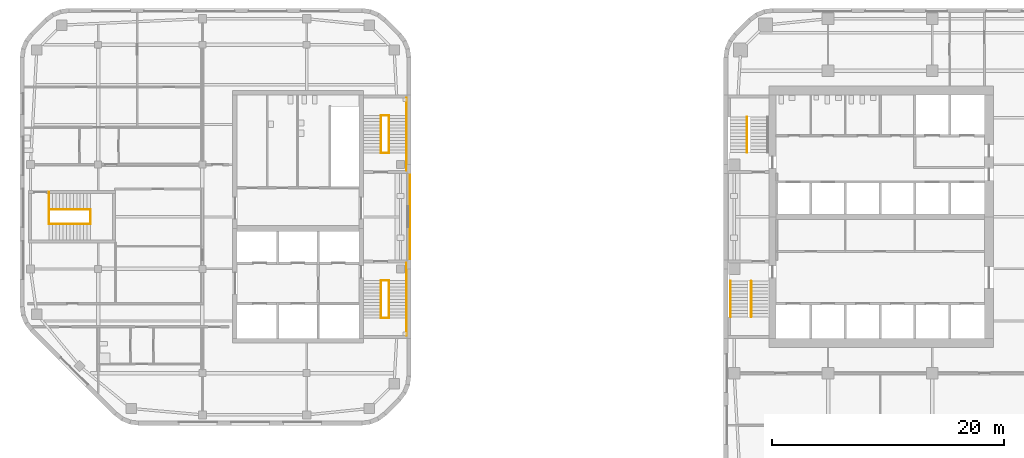
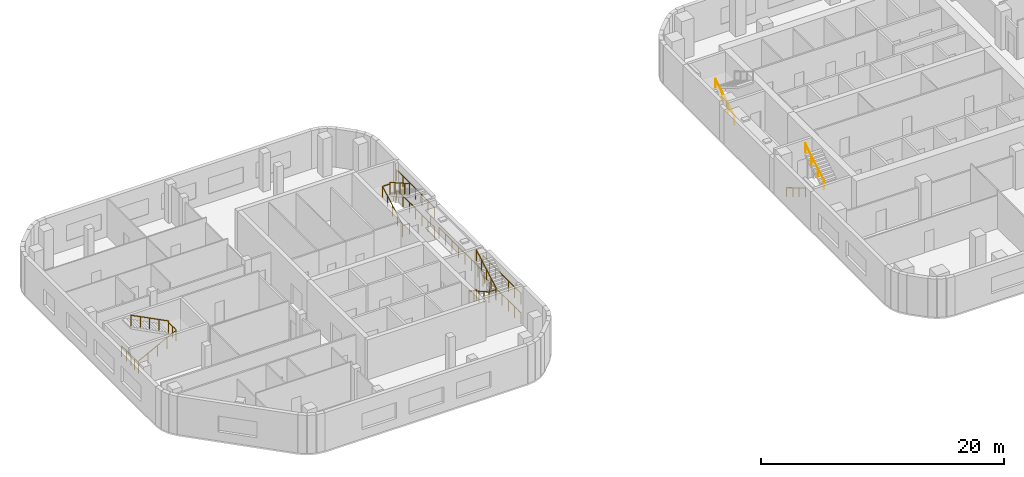
# One storey, part 12 of 14: 21 railings, 2 elements without a shape of their own.
"""IFC4 building model written with IfcOpenShell, lengths in metres."""

from ifc_helpers import new_model, si_unit, direction, frame, origin, origin_2d, place, context, subcontext, project, spatial, circle, extrude, material, type_object, element, aggregate, save


model = new_model("IFC4")

# Units and contexts
model_context = context("Model", 3, precision=1e-05, world=origin(), true_north=direction((0.0, 1.0)))
body_context = subcontext(model_context, "Body", "Model", "MODEL_VIEW")
ifc_project = project(units=[si_unit("LENGTHUNIT", "METRE"), si_unit("AREAUNIT", "SQUARE_METRE"), si_unit("VOLUMEUNIT", "CUBIC_METRE"), si_unit("PLANEANGLEUNIT", "RADIAN"), si_unit("MASSUNIT", "GRAM", prefix="KILO")], contexts=[model_context])

# Site, building, storey
site_placement = place(None, origin())
site = spatial("IfcSite", under=ifc_project, at=site_placement, CompositionType="ELEMENT")
building_placement = place(site_placement, origin())
building = spatial("IfcBuilding", under=site, at=building_placement, Name="Cinnabar Reach Civic Tower", CompositionType="ELEMENT")
storey_placement = place(building_placement, frame((0.0, 0.0, 136.0)))
storey = spatial("IfcBuildingStorey", under=building, at=storey_placement, Name="L32", CompositionType="ELEMENT", Elevation=136.0)

# Stair, railings
ifc_material_1 = material(Name="Concrete C40/50", Category="concrete")
stair_type = type_object("IfcStairType", Name="T1 Exit stair, half-turn", PredefinedType="HALF_TURN_STAIR", material=ifc_material_1)
stair_1_placement = place(storey_placement, origin())
stair_1 = element("IfcStair", 1, at=stair_1_placement, inside=storey, type_object=stair_type, Name="Stair T1-S1", PredefinedType="HALF_TURN_STAIR")
ifc_material_2 = material(Name="Stainless steel tube", Category="steel")
railing_type_1 = type_object("IfcRailingType", Name="T1 Stair handrail, stainless tube 48", PredefinedType="HANDRAIL", material=ifc_material_2)
railing_1_placement = place(storey_placement, frame((0.6, 25.95, 0.1667)))
railing_1 = element("IfcRailing", 2, at=railing_1_placement, type_object=railing_type_1, Name="T1-S1 handrail 1", PredefinedType="HANDRAIL", context=body_context, shape_type="SweptSolid", body=[
    extrude(circle(Radius=0.024, at=origin_2d()), frame((0.0, 0.0, 0.876), z_axis=(0.0, -0.859296971757, 0.511476992962), x_axis=(1.0, 0.0, 0.0)), (0.0, 0.0, 1.0), 3.5843),
    extrude(circle(Radius=0.021, at=origin_2d()), origin(), (0.0, 0.0, 1.0), 0.852),
    extrude(circle(Radius=0.021, at=origin_2d()), frame((0.0, -1.0267, 0.6111)), (0.0, 0.0, 1.0), 0.852),
    extrude(circle(Radius=0.021, at=origin_2d()), frame((0.0, -2.0533, 1.2222)), (0.0, 0.0, 1.0), 0.852),
    extrude(circle(Radius=0.021, at=origin_2d()), frame((0.0, -3.08, 1.8333)), (0.0, 0.0, 1.0), 0.852),
])
railing_2_placement = place(storey_placement, frame((2.375, 22.87, 2.1667)))
railing_2 = element("IfcRailing", 3, at=railing_2_placement, type_object=railing_type_1, Name="T1-S1 handrail 2", PredefinedType="HANDRAIL", context=body_context, shape_type="SweptSolid", body=[
    extrude(circle(Radius=0.024, at=origin_2d()), frame((0.0, 0.0, 0.876), z_axis=(0.0, 0.859296971757, 0.511476992962), x_axis=(-1.0, 0.0, 0.0)), (0.0, 0.0, 1.0), 3.5843),
    extrude(circle(Radius=0.021, at=origin_2d()), origin(), (0.0, 0.0, 1.0), 0.852),
    extrude(circle(Radius=0.021, at=origin_2d()), frame((0.0, 1.0267, 0.6111)), (0.0, 0.0, 1.0), 0.852),
    extrude(circle(Radius=0.021, at=origin_2d()), frame((0.0, 2.0533, 1.2222)), (0.0, 0.0, 1.0), 0.852),
    extrude(circle(Radius=0.021, at=origin_2d()), frame((0.0, 3.08, 1.8333)), (0.0, 0.0, 1.0), 0.852),
])
aggregate(stair_1, [railing_1, railing_2])

# Stair, railing
stair_2_placement = place(storey_placement, origin())
stair_2 = element("IfcStair", 4, at=stair_2_placement, inside=storey, type_object=stair_type, Name="Stair T1-S2", PredefinedType="HALF_TURN_STAIR")
railing_3_placement = place(storey_placement, frame((2.025, 37.05, 0.1667)))
railing_3 = element("IfcRailing", 5, at=railing_3_placement, type_object=railing_type_1, Name="T1-S2 handrail 1", PredefinedType="HANDRAIL", context=body_context, shape_type="SweptSolid", body=[
    extrude(circle(Radius=0.024, at=origin_2d()), frame((0.0, 0.0, 0.876), z_axis=(0.0, 0.859296971757, 0.511476992962), x_axis=(-1.0, 0.0, 0.0)), (0.0, 0.0, 1.0), 3.5843),
    extrude(circle(Radius=0.021, at=origin_2d()), origin(), (0.0, 0.0, 1.0), 0.852),
    extrude(circle(Radius=0.021, at=origin_2d()), frame((0.0, 1.0267, 0.6111)), (0.0, 0.0, 1.0), 0.852),
    extrude(circle(Radius=0.021, at=origin_2d()), frame((0.0, 2.0533, 1.2222)), (0.0, 0.0, 1.0), 0.852),
    extrude(circle(Radius=0.021, at=origin_2d()), frame((0.0, 3.08, 1.8333)), (0.0, 0.0, 1.0), 0.852),
])
aggregate(stair_2, [railing_3])

# Railings
ifc_material_3 = material(Name="Stainless steel", Category="steel")
railing_type_2 = type_object("IfcRailingType", Name="T2 Stair guard 1100", PredefinedType="GUARDRAIL", material=ifc_material_3)
railing_4_placement = place(storey_placement, frame((-27.1, 27.75, 0.0)))
element("IfcRailing", 6, at=railing_4_placement, inside=storey, type_object=railing_type_2, Name="Corridor end guard", PredefinedType="GUARDRAIL", context=body_context, shape_type="SweptSolid", body=[
    extrude(circle(Radius=0.024, at=origin_2d()), frame((0.0, 0.0, 1.076), z_axis=(0.0, 1.0, 0.0), x_axis=(-1.0, 0.0, 0.0)), (0.0, 0.0, 1.0), 7.5),
    extrude(circle(Radius=0.021, at=origin_2d()), origin(), (0.0, 0.0, 1.0), 1.052),
    extrude(circle(Radius=0.021, at=origin_2d()), frame((0.0, 1.0714, 0.0)), (0.0, 0.0, 1.0), 1.052),
    extrude(circle(Radius=0.021, at=origin_2d()), frame((0.0, 2.1429, 0.0)), (0.0, 0.0, 1.0), 1.052),
    extrude(circle(Radius=0.021, at=origin_2d()), frame((0.0, 3.2143, 0.0)), (0.0, 0.0, 1.0), 1.052),
    extrude(circle(Radius=0.021, at=origin_2d()), frame((0.0, 4.2857, 0.0)), (0.0, 0.0, 1.0), 1.052),
    extrude(circle(Radius=0.021, at=origin_2d()), frame((0.0, 5.3571, 0.0)), (0.0, 0.0, 1.0), 1.052),
    extrude(circle(Radius=0.021, at=origin_2d()), frame((0.0, 6.4286, 0.0)), (0.0, 0.0, 1.0), 1.052),
    extrude(circle(Radius=0.021, at=origin_2d()), frame((0.0, 7.5, 0.0)), (0.0, 0.0, 1.0), 1.052),
])
for number, where, name in (
    (7, (-27.4, 21.25, 0.0), "Stair guard 1"),
    (8, (-27.4, 21.25, 2.0), "Stair guard 1"),
):
    element("IfcRailing", number, at=place(storey_placement, frame(where)), inside=storey, type_object=railing_type_2, Name=name, PredefinedType="GUARDRAIL", context=body_context, shape_type="SweptSolid", body=[
        extrude(circle(Radius=0.024, at=origin_2d()), frame((0.0, 0.0, 1.076), z_axis=(0.0, 1.0, 0.0), x_axis=(-1.0, 0.0, 0.0)), (0.0, 0.0, 1.0), 6.25),
        extrude(circle(Radius=0.021, at=origin_2d()), origin(), (0.0, 0.0, 1.0), 1.052),
        extrude(circle(Radius=0.021, at=origin_2d()), frame((0.0, 1.0417, 0.0)), (0.0, 0.0, 1.0), 1.052),
        extrude(circle(Radius=0.021, at=origin_2d()), frame((0.0, 2.0833, 0.0)), (0.0, 0.0, 1.0), 1.052),
        extrude(circle(Radius=0.021, at=origin_2d()), frame((0.0, 3.125, 0.0)), (0.0, 0.0, 1.0), 1.052),
        extrude(circle(Radius=0.021, at=origin_2d()), frame((0.0, 4.1667, 0.0)), (0.0, 0.0, 1.0), 1.052),
        extrude(circle(Radius=0.021, at=origin_2d()), frame((0.0, 5.2083, 0.0)), (0.0, 0.0, 1.0), 1.052),
        extrude(circle(Radius=0.021, at=origin_2d()), frame((0.0, 6.25, 0.0)), (0.0, 0.0, 1.0), 1.052),
    ])
for number, where, name in (
    (9, (-29.6, 26.0, 0.0), "Stair guard 1"),
    (10, (-29.6, 22.75, 2.0), "Stair guard 1"),
):
    element("IfcRailing", number, at=place(storey_placement, frame(where)), inside=storey, type_object=railing_type_2, Name=name, PredefinedType="GUARDRAIL", context=body_context, shape_type="SweptSolid", body=[
        extrude(circle(Radius=0.024, at=origin_2d()), frame((0.0, 0.0, 1.076), z_axis=(1.0, 0.0, 0.0), x_axis=(0.0, 1.0, 0.0)), (0.0, 0.0, 1.0), 0.7),
        extrude(circle(Radius=0.021, at=origin_2d()), origin(), (0.0, 0.0, 1.0), 1.052),
        extrude(circle(Radius=0.021, at=origin_2d()), frame((0.7, 0.0, 0.0)), (0.0, 0.0, 1.0), 1.052),
    ])
railing_5_placement = place(storey_placement, frame((-29.6, 26.0, 0.1538)))
element("IfcRailing", 11, at=railing_5_placement, inside=storey, type_object=railing_type_2, Name="Stair guard 1", PredefinedType="GUARDRAIL", context=body_context, shape_type="SweptSolid", body=[
    extrude(circle(Radius=0.024, at=origin_2d()), frame((0.0, 0.0, 1.076), z_axis=(0.0, -0.869501474428, 0.493930345258), x_axis=(1.0, 0.0, 0.0)), (0.0, 0.0, 1.0), 3.7378),
    extrude(circle(Radius=0.021, at=origin_2d()), origin(), (0.0, 0.0, 1.0), 1.052),
    extrude(circle(Radius=0.021, at=origin_2d()), frame((0.0, -0.8125, 0.4616)), (0.0, 0.0, 1.0), 1.052),
    extrude(circle(Radius=0.021, at=origin_2d()), frame((0.0, -1.625, 0.9231)), (0.0, 0.0, 1.0), 1.052),
    extrude(circle(Radius=0.021, at=origin_2d()), frame((0.0, -2.4375, 1.3847)), (0.0, 0.0, 1.0), 1.052),
    extrude(circle(Radius=0.021, at=origin_2d()), frame((0.0, -3.25, 1.8462)), (0.0, 0.0, 1.0), 1.052),
])
railing_6_placement = place(storey_placement, frame((-28.9, 22.75, 2.1538)))
element("IfcRailing", 12, at=railing_6_placement, inside=storey, type_object=railing_type_2, Name="Stair guard 1", PredefinedType="GUARDRAIL", context=body_context, shape_type="SweptSolid", body=[
    extrude(circle(Radius=0.024, at=origin_2d()), frame((0.0, 0.0, 1.076), z_axis=(0.0, 0.869501474428, 0.493930345258), x_axis=(-1.0, 0.0, 0.0)), (0.0, 0.0, 1.0), 3.7378),
    extrude(circle(Radius=0.021, at=origin_2d()), origin(), (0.0, 0.0, 1.0), 1.052),
    extrude(circle(Radius=0.021, at=origin_2d()), frame((0.0, 0.8125, 0.4616)), (0.0, 0.0, 1.0), 1.052),
    extrude(circle(Radius=0.021, at=origin_2d()), frame((0.0, 1.625, 0.9231)), (0.0, 0.0, 1.0), 1.052),
    extrude(circle(Radius=0.021, at=origin_2d()), frame((0.0, 2.4375, 1.3847)), (0.0, 0.0, 1.0), 1.052),
    extrude(circle(Radius=0.021, at=origin_2d()), frame((0.0, 3.25, 1.8462)), (0.0, 0.0, 1.0), 1.052),
])
for number, where, name in (
    (13, (-27.4, 35.5, 0.0), "Stair guard 2"),
    (14, (-27.4, 35.5, 2.0), "Stair guard 2"),
):
    element("IfcRailing", number, at=place(storey_placement, frame(where)), inside=storey, type_object=railing_type_2, Name=name, PredefinedType="GUARDRAIL", context=body_context, shape_type="SweptSolid", body=[
        extrude(circle(Radius=0.024, at=origin_2d()), frame((0.0, 0.0, 1.076), z_axis=(0.0, 1.0, 0.0), x_axis=(-1.0, 0.0, 0.0)), (0.0, 0.0, 1.0), 6.25),
        extrude(circle(Radius=0.021, at=origin_2d()), origin(), (0.0, 0.0, 1.0), 1.052),
        extrude(circle(Radius=0.021, at=origin_2d()), frame((0.0, 1.0417, 0.0)), (0.0, 0.0, 1.0), 1.052),
        extrude(circle(Radius=0.021, at=origin_2d()), frame((0.0, 2.0833, 0.0)), (0.0, 0.0, 1.0), 1.052),
        extrude(circle(Radius=0.021, at=origin_2d()), frame((0.0, 3.125, 0.0)), (0.0, 0.0, 1.0), 1.052),
        extrude(circle(Radius=0.021, at=origin_2d()), frame((0.0, 4.1667, 0.0)), (0.0, 0.0, 1.0), 1.052),
        extrude(circle(Radius=0.021, at=origin_2d()), frame((0.0, 5.2083, 0.0)), (0.0, 0.0, 1.0), 1.052),
        extrude(circle(Radius=0.021, at=origin_2d()), frame((0.0, 6.25, 0.0)), (0.0, 0.0, 1.0), 1.052),
    ])
for number, where, name in (
    (15, (-29.6, 37.0, 0.0), "Stair guard 2"),
    (16, (-29.6, 40.25, 2.0), "Stair guard 2"),
):
    element("IfcRailing", number, at=place(storey_placement, frame(where)), inside=storey, type_object=railing_type_2, Name=name, PredefinedType="GUARDRAIL", context=body_context, shape_type="SweptSolid", body=[
        extrude(circle(Radius=0.024, at=origin_2d()), frame((0.0, 0.0, 1.076), z_axis=(1.0, 0.0, 0.0), x_axis=(0.0, 1.0, 0.0)), (0.0, 0.0, 1.0), 0.7),
        extrude(circle(Radius=0.021, at=origin_2d()), origin(), (0.0, 0.0, 1.0), 1.052),
        extrude(circle(Radius=0.021, at=origin_2d()), frame((0.7, 0.0, 0.0)), (0.0, 0.0, 1.0), 1.052),
    ])
railing_7_placement = place(storey_placement, frame((-29.6, 37.0, 0.1538)))
element("IfcRailing", 17, at=railing_7_placement, inside=storey, type_object=railing_type_2, Name="Stair guard 2", PredefinedType="GUARDRAIL", context=body_context, shape_type="SweptSolid", body=[
    extrude(circle(Radius=0.024, at=origin_2d()), frame((0.0, 0.0, 1.076), z_axis=(0.0, 0.869501474428, 0.493930345258), x_axis=(-1.0, 0.0, 0.0)), (0.0, 0.0, 1.0), 3.7378),
    extrude(circle(Radius=0.021, at=origin_2d()), origin(), (0.0, 0.0, 1.0), 1.052),
    extrude(circle(Radius=0.021, at=origin_2d()), frame((0.0, 0.8125, 0.4616)), (0.0, 0.0, 1.0), 1.052),
    extrude(circle(Radius=0.021, at=origin_2d()), frame((0.0, 1.625, 0.9231)), (0.0, 0.0, 1.0), 1.052),
    extrude(circle(Radius=0.021, at=origin_2d()), frame((0.0, 2.4375, 1.3847)), (0.0, 0.0, 1.0), 1.052),
    extrude(circle(Radius=0.021, at=origin_2d()), frame((0.0, 3.25, 1.8462)), (0.0, 0.0, 1.0), 1.052),
])
railing_8_placement = place(storey_placement, frame((-28.9, 40.25, 2.1538)))
element("IfcRailing", 18, at=railing_8_placement, inside=storey, type_object=railing_type_2, Name="Stair guard 2", PredefinedType="GUARDRAIL", context=body_context, shape_type="SweptSolid", body=[
    extrude(circle(Radius=0.024, at=origin_2d()), frame((0.0, 0.0, 1.076), z_axis=(0.0, -0.869501474428, 0.493930345258), x_axis=(1.0, 0.0, 0.0)), (0.0, 0.0, 1.0), 3.7378),
    extrude(circle(Radius=0.021, at=origin_2d()), origin(), (0.0, 0.0, 1.0), 1.052),
    extrude(circle(Radius=0.021, at=origin_2d()), frame((0.0, -0.8125, 0.4616)), (0.0, 0.0, 1.0), 1.052),
    extrude(circle(Radius=0.021, at=origin_2d()), frame((0.0, -1.625, 0.9231)), (0.0, 0.0, 1.0), 1.052),
    extrude(circle(Radius=0.021, at=origin_2d()), frame((0.0, -2.4375, 1.3847)), (0.0, 0.0, 1.0), 1.052),
    extrude(circle(Radius=0.021, at=origin_2d()), frame((0.0, -3.25, 1.8462)), (0.0, 0.0, 1.0), 1.052),
])
railing_9_placement = place(storey_placement, frame((-58.25, 30.875, 0.0)))
element("IfcRailing", 19, at=railing_9_placement, inside=storey, type_object=railing_type_2, Name="Stair guard 3", PredefinedType="GUARDRAIL", context=body_context, shape_type="SweptSolid", body=[
    extrude(circle(Radius=0.024, at=origin_2d()), frame((0.0, 0.0, 1.076), z_axis=(0.0, 1.0, 0.0), x_axis=(-1.0, 0.0, 0.0)), (0.0, 0.0, 1.0), 1.25),
    extrude(circle(Radius=0.021, at=origin_2d()), origin(), (0.0, 0.0, 1.0), 1.052),
    extrude(circle(Radius=0.021, at=origin_2d()), frame((0.0, 0.625, 0.0)), (0.0, 0.0, 1.0), 1.052),
    extrude(circle(Radius=0.021, at=origin_2d()), frame((0.0, 1.25, 0.0)), (0.0, 0.0, 1.0), 1.052),
])
railing_10_placement = place(storey_placement, frame((-58.25, 32.125, 0.0)))
element("IfcRailing", 20, at=railing_10_placement, inside=storey, type_object=railing_type_2, Name="Stair guard 3", PredefinedType="GUARDRAIL", context=body_context, shape_type="SweptSolid", body=[
    extrude(circle(Radius=0.024, at=origin_2d()), frame((0.0, 0.0, 1.076), z_axis=(0.0, 1.0, 0.0), x_axis=(-1.0, 0.0, 0.0)), (0.0, 0.0, 1.0), 1.5),
    extrude(circle(Radius=0.021, at=origin_2d()), origin(), (0.0, 0.0, 1.0), 1.052),
    extrude(circle(Radius=0.021, at=origin_2d()), frame((0.0, 0.75, 0.0)), (0.0, 0.0, 1.0), 1.052),
    extrude(circle(Radius=0.021, at=origin_2d()), frame((0.0, 1.5, 0.0)), (0.0, 0.0, 1.0), 1.052),
])
railing_11_placement = place(storey_placement, frame((-54.65, 30.875, 2.0)))
element("IfcRailing", 21, at=railing_11_placement, inside=storey, type_object=railing_type_2, Name="Stair guard 3", PredefinedType="GUARDRAIL", context=body_context, shape_type="SweptSolid", body=[
    extrude(circle(Radius=0.024, at=origin_2d()), frame((0.0, 0.0, 1.076), z_axis=(0.0, 1.0, 0.0), x_axis=(-1.0, 0.0, 0.0)), (0.0, 0.0, 1.0), 1.25),
    extrude(circle(Radius=0.021, at=origin_2d()), origin(), (0.0, 0.0, 1.0), 1.052),
    extrude(circle(Radius=0.021, at=origin_2d()), frame((0.0, 0.625, 0.0)), (0.0, 0.0, 1.0), 1.052),
    extrude(circle(Radius=0.021, at=origin_2d()), frame((0.0, 1.25, 0.0)), (0.0, 0.0, 1.0), 1.052),
])
railing_12_placement = place(storey_placement, frame((-58.25, 30.875, 0.1538)))
element("IfcRailing", 22, at=railing_12_placement, inside=storey, type_object=railing_type_2, Name="Stair guard 3", PredefinedType="GUARDRAIL", context=body_context, shape_type="SweptSolid", body=[
    extrude(circle(Radius=0.024, at=origin_2d()), frame((0.0, 0.0, 1.076), z_axis=(0.889812830738, 0.0, 0.45632568003), x_axis=(0.0, 1.0, 0.0)), (0.0, 0.0, 1.0), 4.0458),
    extrude(circle(Radius=0.021, at=origin_2d()), origin(), (0.0, 0.0, 1.0), 1.052),
    extrude(circle(Radius=0.021, at=origin_2d()), frame((0.9, 0.0, 0.4616)), (0.0, 0.0, 1.0), 1.052),
    extrude(circle(Radius=0.021, at=origin_2d()), frame((1.8, 0.0, 0.9231)), (0.0, 0.0, 1.0), 1.052),
    extrude(circle(Radius=0.021, at=origin_2d()), frame((2.7, 0.0, 1.3847)), (0.0, 0.0, 1.0), 1.052),
    extrude(circle(Radius=0.021, at=origin_2d()), frame((3.6, 0.0, 1.8462)), (0.0, 0.0, 1.0), 1.052),
])
railing_13_placement = place(storey_placement, frame((-54.65, 32.125, 2.1538)))
element("IfcRailing", 23, at=railing_13_placement, inside=storey, type_object=railing_type_2, Name="Stair guard 3", PredefinedType="GUARDRAIL", context=body_context, shape_type="SweptSolid", body=[
    extrude(circle(Radius=0.024, at=origin_2d()), frame((0.0, 0.0, 1.076), z_axis=(-0.889812830738, 0.0, 0.45632568003), x_axis=(0.0, -1.0, 0.0)), (0.0, 0.0, 1.0), 4.0458),
    extrude(circle(Radius=0.021, at=origin_2d()), origin(), (0.0, 0.0, 1.0), 1.052),
    extrude(circle(Radius=0.021, at=origin_2d()), frame((-0.9, 0.0, 0.4616)), (0.0, 0.0, 1.0), 1.052),
    extrude(circle(Radius=0.021, at=origin_2d()), frame((-1.8, 0.0, 0.9231)), (0.0, 0.0, 1.0), 1.052),
    extrude(circle(Radius=0.021, at=origin_2d()), frame((-2.7, 0.0, 1.3847)), (0.0, 0.0, 1.0), 1.052),
    extrude(circle(Radius=0.021, at=origin_2d()), frame((-3.6, 0.0, 1.8462)), (0.0, 0.0, 1.0), 1.052),
])

save(model, "model.ifc")
